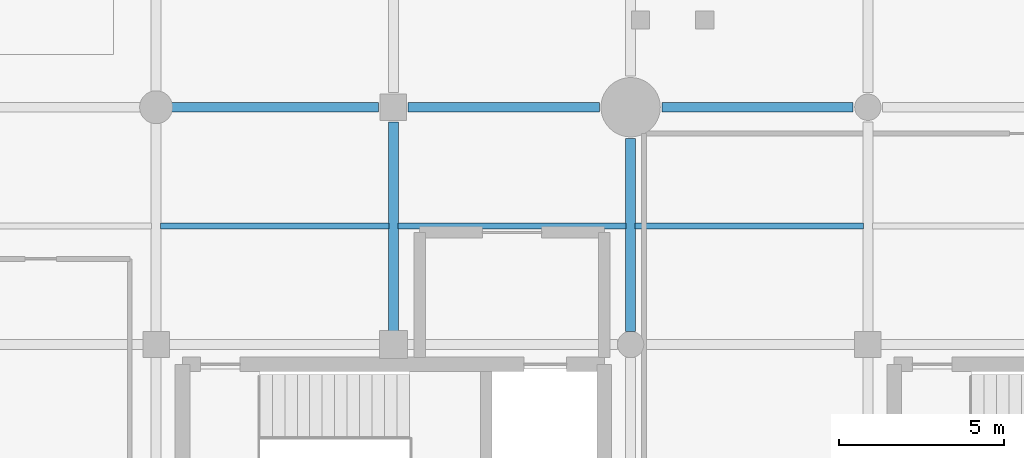
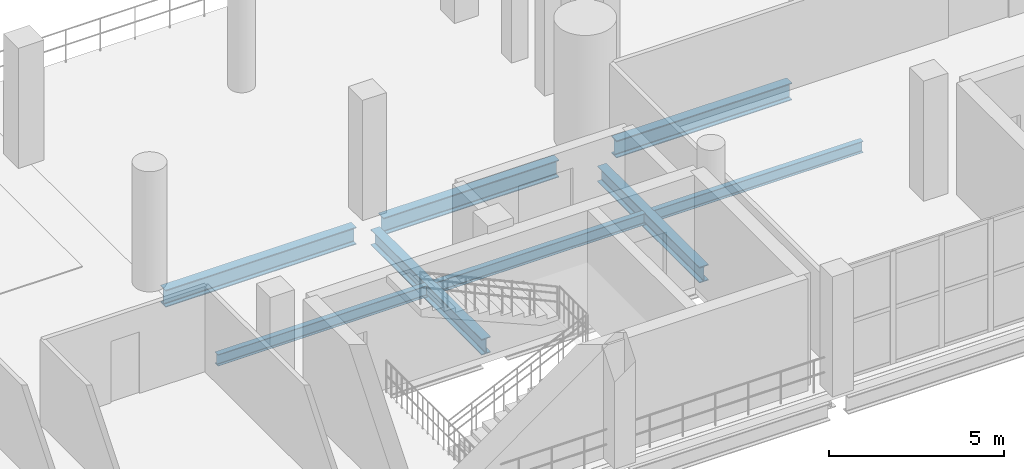
# One storey, part 16 of 153: 8 beams.
"""IFC4 building model written with IfcOpenShell, lengths in metres."""

from ifc_helpers import new_model, si_unit, direction, frame, origin, origin_2d, place, context, subcontext, project, spatial, i_section, extrude, material, material_profile, profile_set, type_object, element, save


model = new_model("IFC4")

# Units and contexts
model_context = context("Model", 3, precision=1e-05, world=origin(), true_north=direction((0.0, 1.0)))
body_context = subcontext(model_context, "Body", "Model", "MODEL_VIEW")
ifc_project = project(units=[si_unit("LENGTHUNIT", "METRE"), si_unit("AREAUNIT", "SQUARE_METRE"), si_unit("VOLUMEUNIT", "CUBIC_METRE"), si_unit("PLANEANGLEUNIT", "RADIAN"), si_unit("MASSUNIT", "GRAM", prefix="KILO")], contexts=[model_context])

# Site, building, storey
site_placement = place(None, origin())
site = spatial("IfcSite", under=ifc_project, at=site_placement, CompositionType="ELEMENT")
building_placement = place(site_placement, origin())
building = spatial("IfcBuilding", under=site, at=building_placement, Name="Qandorah Velis Arena", CompositionType="ELEMENT")
storey_placement = place(building_placement, frame((0.0, 0.0, 5.39990234375)))
storey = spatial("IfcBuildingStorey", under=building, at=storey_placement, Name="L01", CompositionType="ELEMENT", Elevation=5.39990234375)

# Beams
ifc_material = material(Name="Steel S355", Category="steel")
ifc_material_profile_1 = material_profile(ifc_material, i_section(OverallWidth=0.300048828125, OverallDepth=0.550048828125, WebThickness=0.014892578125, FlangeThickness=0.029052734375, FilletRadius=0.027099609375, at=origin_2d()), Name="HEB 550")
ifc_profile_set_1 = profile_set([ifc_material_profile_1], Name="Steel S355")
beam_type_1 = type_object("IfcBeamType", Name="STR-BM-HEB550", PredefinedType="BEAM", material=ifc_profile_set_1)
beam_1_placement = place(storey_placement, frame((36.0, 7.60009765625, -0.635009765625), z_axis=(0.0, 1.0, 0.0), x_axis=(-1.0, 0.0, 0.0)))
element("IfcBeam", 1, at=beam_1_placement, inside=storey, type_object=beam_type_1, Name="Primary floor girder L01 Y-302", PredefinedType="BEAM", context=body_context, shape_type="SweptSolid", body=[
    extrude(i_section(OverallWidth=0.300048828125, OverallDepth=0.550048828125, WebThickness=0.014892578125, FlangeThickness=0.029052734375, FilletRadius=0.027099609375, at=origin_2d()), origin(), (0.0, 0.0, 1.0), 6.349853515625),
])
beam_2_placement = place(storey_placement, frame((43.199951171875, 7.60009765625, -0.635009765625), z_axis=(0.0, 1.0, 0.0), x_axis=(-1.0, 0.0, 0.0)))
element("IfcBeam", 2, at=beam_2_placement, inside=storey, type_object=beam_type_1, Name="Primary floor girder L01 Y-307", PredefinedType="BEAM", context=body_context, shape_type="SweptSolid", body=[
    extrude(i_section(OverallWidth=0.300048828125, OverallDepth=0.550048828125, WebThickness=0.014892578125, FlangeThickness=0.029052734375, FilletRadius=0.027099609375, at=origin_2d()), origin(), (0.0, 0.0, 1.0), 5.849853515625),
])
ifc_material_profile_2 = material_profile(ifc_material, i_section(OverallWidth=0.300048828125, OverallDepth=0.60009765625, WebThickness=0.015380859375, FlangeThickness=0.030029296875, FilletRadius=0.027099609375, at=origin_2d()), Name="HEB 600")
ifc_profile_set_2 = profile_set([ifc_material_profile_2], Name="Steel S355")
beam_type_2 = type_object("IfcBeamType", Name="STR-BM-HEB600", PredefinedType="BEAM", material=ifc_profile_set_2)
beam_3_placement = place(storey_placement, frame((29.25, 14.39990234375, -0.659912109375), z_axis=(1.0, 0.0, 0.0), x_axis=(0.0, 1.0, 0.0)))
element("IfcBeam", 3, at=beam_3_placement, inside=storey, type_object=beam_type_2, Name="Primary floor girder L01 X-037", PredefinedType="BEAM", context=body_context, shape_type="SweptSolid", body=[
    extrude(i_section(OverallWidth=0.300048828125, OverallDepth=0.60009765625, WebThickness=0.015380859375, FlangeThickness=0.030029296875, FilletRadius=0.027099609375, at=origin_2d()), origin(), (0.0, 0.0, 1.0), 6.300048828125),
])
for number, where, z_axis, x_axis, name in (
    (4, (36.449951171875, 14.39990234375, -0.659912109375), (1.0, 0.0, 0.0), (0.0, 1.0, 0.0), "Primary floor girder L01 X-038"),
    (5, (44.14990234375, 14.39990234375, -0.659912109375), (1.0, 0.0, 0.0), (0.0, 1.0, 0.0), "Primary floor girder L01 X-039"),
):
    element("IfcBeam", number, at=place(storey_placement, frame(where, z_axis=z_axis, x_axis=x_axis)), inside=storey, type_object=beam_type_2, Name=name, PredefinedType="BEAM", context=body_context, shape_type="SweptSolid", body=[
        extrude(i_section(OverallWidth=0.300048828125, OverallDepth=0.60009765625, WebThickness=0.015380859375, FlangeThickness=0.030029296875, FilletRadius=0.027099609375, at=origin_2d()), origin(), (0.0, 0.0, 1.0), 5.800048828125),
    ])
ifc_material_profile_3 = material_profile(ifc_material, i_section(OverallWidth=0.179931640625, OverallDepth=0.39990234375, WebThickness=0.008544921875, FlangeThickness=0.013427734375, FilletRadius=0.02099609375, at=origin_2d()), Name="IPE 400")
ifc_profile_set_3 = profile_set([ifc_material_profile_3], Name="Steel S355")
beam_type_3 = type_object("IfcBeamType", Name="STR-JST-IPE400", PredefinedType="JOIST", material=ifc_profile_set_3)
for number, where, z_axis, x_axis, name in (
    (6, (28.93505859375, 10.800048828125, -0.559814453125), (1.0, 0.0, 0.0), (0.0, 1.0, 0.0), "Secondary floor joist L01-061"),
    (7, (36.135009765625, 10.800048828125, -0.559814453125), (1.0, 0.0, 0.0), (0.0, 1.0, 0.0), "Secondary floor joist L01-065"),
    (8, (43.3349609375, 10.800048828125, -0.559814453125), (1.0, 0.0, 0.0), (0.0, 1.0, 0.0), "Secondary floor joist L01-070"),
):
    element("IfcBeam", number, at=place(storey_placement, frame(where, z_axis=z_axis, x_axis=x_axis)), inside=storey, type_object=beam_type_3, Name=name, PredefinedType="JOIST", context=body_context, shape_type="SweptSolid", body=[
        extrude(i_section(OverallWidth=0.179931640625, OverallDepth=0.39990234375, WebThickness=0.008544921875, FlangeThickness=0.013427734375, FilletRadius=0.02099609375, at=origin_2d()), origin(), (0.0, 0.0, 1.0), 6.929931640625),
    ])

save(model, "model.ifc")
